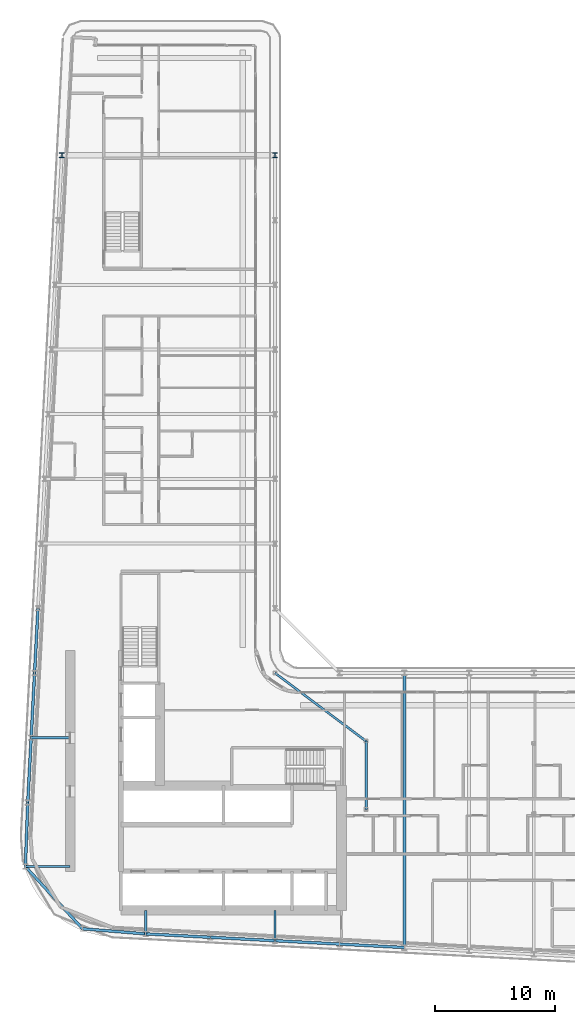
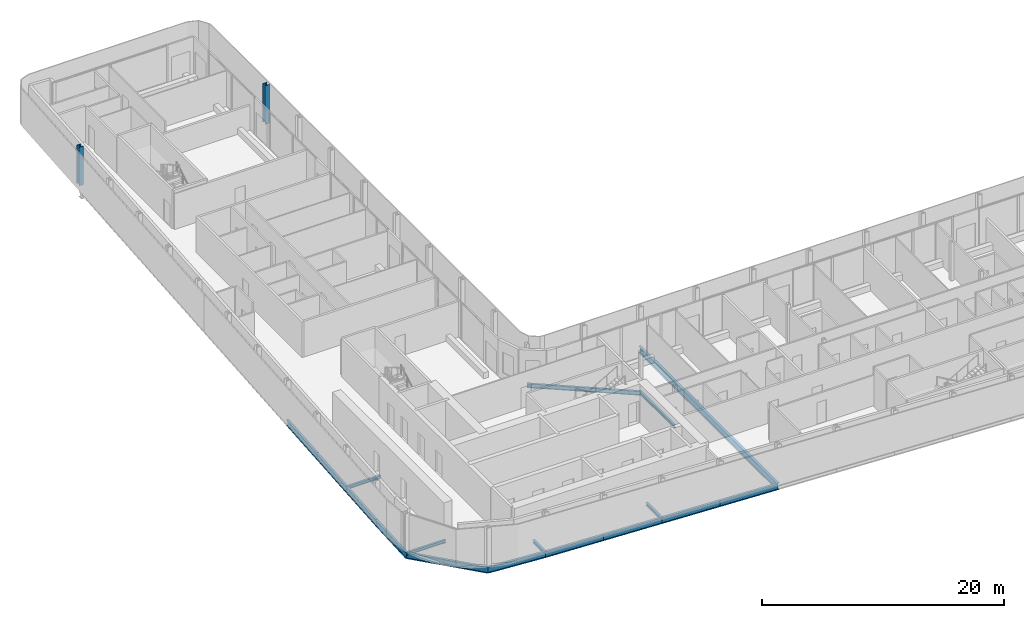
# One storey, part 5 of 29: 17 beams, 2 columns.
"""IFC4 building model written with IfcOpenShell, lengths in metres."""

from ifc_helpers import new_model, si_unit, direction, frame, origin, origin_2d, place, context, subcontext, project, spatial, i_section, extrude, material, material_profile, profile_set, type_object, element, save


model = new_model("IFC4")

# Units and contexts
model_context = context("Model", 3, precision=1e-05, world=origin(), true_north=direction((0.0, 1.0)))
body_context = subcontext(model_context, "Body", "Model", "MODEL_VIEW")
ifc_project = project(units=[si_unit("LENGTHUNIT", "METRE"), si_unit("AREAUNIT", "SQUARE_METRE"), si_unit("VOLUMEUNIT", "CUBIC_METRE"), si_unit("PLANEANGLEUNIT", "RADIAN"), si_unit("MASSUNIT", "GRAM", prefix="KILO")], contexts=[model_context])

# Site, building, storey
site_placement = place(None, origin())
site = spatial("IfcSite", under=ifc_project, at=site_placement, CompositionType="ELEMENT")
building_placement = place(site_placement, origin())
building = spatial("IfcBuilding", under=site, at=building_placement, Name="Kheshtan School and Residences Tower", CompositionType="ELEMENT")
storey_placement = place(building_placement, frame((0.0, 0.0, 183.800048828125)))
storey = spatial("IfcBuildingStorey", under=building, at=storey_placement, Name="L43", CompositionType="ELEMENT", Elevation=183.800048828125)

# Columns
ifc_material = material(Name="Steel ASTM A992 Grade 50", Category="steel")
ifc_material_profile_1 = material_profile(ifc_material, i_section(OverallWidth=0.408935546875, OverallDepth=0.425048828125, WebThickness=0.03271484375, FlangeThickness=0.052490234375, FilletRadius=0.0126953125, at=origin_2d()), Name="W360x421")
ifc_profile_set_1 = profile_set([ifc_material_profile_1], Name="Steel ASTM A992 Grade 50")
column_type = type_object("IfcColumnType", Name="Column C3 W360x421 ASTM A992 Grade 50", PredefinedType="COLUMN", material=ifc_profile_set_1)
for number, where, z_axis, x_axis, name in (
    (1, (29.81103515625, 88.800048828125, 0.0), (0.0, 0.0, 1.0), (1.0, 0.0, 0.0), "Column C098"),
    (2, (47.60009765625, 88.800048828125, 0.0), (0.0, 0.0, 1.0), (1.0, 0.0, 0.0), "Column C099"),
):
    element("IfcColumn", number, at=place(storey_placement, frame(where, z_axis=z_axis, x_axis=x_axis)), inside=storey, type_object=column_type, Name=name, PredefinedType="COLUMN", context=body_context, shape_type="SweptSolid", body=[
        extrude(i_section(OverallWidth=0.408935546875, OverallDepth=0.425048828125, WebThickness=0.03271484375, FlangeThickness=0.052490234375, FilletRadius=0.0126953125, at=origin_2d()), origin(), (0.0, 0.0, 1.0), 3.89990234375),
    ])

# Beams
ifc_material_profile_2 = material_profile(ifc_material, i_section(OverallWidth=0.202880859375, OverallDepth=0.302978515625, WebThickness=0.007568359375, FlangeThickness=0.01318359375, FilletRadius=0.009033203125, at=origin_2d()), Name="W310x60")
ifc_profile_set_2 = profile_set([ifc_material_profile_2], Name="Steel ASTM A992 Grade 50")
beam_type_1 = type_object("IfcBeamType", Name="Beam FB1 W310x60 ASTM A992 Grade 50", PredefinedType="BEAM", material=ifc_profile_set_2)
beam_1_placement = place(storey_placement, frame((47.60009765625, 23.263916015625, -0.301513671875), z_axis=(0.0, 1.0, 0.0), x_axis=(-1.0, 0.0, 0.0)))
element("IfcBeam", 3, at=beam_1_placement, inside=storey, type_object=beam_type_1, Name="Floor beam C020", PredefinedType="BEAM", context=body_context, shape_type="SweptSolid", body=[
    extrude(i_section(OverallWidth=0.202880859375, OverallDepth=0.302978515625, WebThickness=0.007568359375, FlangeThickness=0.01318359375, FilletRadius=0.009033203125, at=origin_2d()), origin(), (0.0, 0.0, 1.0), 2.5361328125),
])
beam_2_placement = place(storey_placement, frame((36.800048828125, 23.83203125, -0.301513671875), z_axis=(0.0, 1.0, 0.0), x_axis=(-1.0, 0.0, 0.0)))
element("IfcBeam", 4, at=beam_2_placement, inside=storey, type_object=beam_type_1, Name="Floor beam C022", PredefinedType="BEAM", context=body_context, shape_type="SweptSolid", body=[
    extrude(i_section(OverallWidth=0.202880859375, OverallDepth=0.302978515625, WebThickness=0.007568359375, FlangeThickness=0.01318359375, FilletRadius=0.009033203125, at=origin_2d()), origin(), (0.0, 0.0, 1.0), 1.968017578125),
])
beam_3_placement = place(storey_placement, frame((26.76904296875, 29.4541015625, -0.301513671875), z_axis=(1.0, 0.0, 0.0), x_axis=(0.0, 1.0, 0.0)))
element("IfcBeam", 5, at=beam_3_placement, inside=storey, type_object=beam_type_1, Name="Floor beam C038", PredefinedType="BEAM", context=body_context, shape_type="SweptSolid", body=[
    extrude(i_section(OverallWidth=0.202880859375, OverallDepth=0.302978515625, WebThickness=0.007568359375, FlangeThickness=0.01318359375, FilletRadius=0.009033203125, at=origin_2d()), origin(), (0.0, 0.0, 1.0), 3.73095703125),
])
beam_4_placement = place(storey_placement, frame((27.2529296875, 40.199951171875, -0.301513671875), z_axis=(1.0, 0.0, 0.0), x_axis=(0.0, 1.0, 0.0)))
element("IfcBeam", 6, at=beam_4_placement, inside=storey, type_object=beam_type_1, Name="Floor beam C056", PredefinedType="BEAM", context=body_context, shape_type="SweptSolid", body=[
    extrude(i_section(OverallWidth=0.202880859375, OverallDepth=0.302978515625, WebThickness=0.007568359375, FlangeThickness=0.01318359375, FilletRadius=0.009033203125, at=origin_2d()), origin(), (0.0, 0.0, 1.0), 3.2470703125),
])
beam_5_placement = place(storey_placement, frame((55.199951171875, 34.23193359375, -0.301513671875), z_axis=(0.0, 1.0, 0.0), x_axis=(-1.0, 0.0, 0.0)))
element("IfcBeam", 7, at=beam_5_placement, inside=storey, type_object=beam_type_1, Name="Floor beam IC", PredefinedType="BEAM", context=body_context, shape_type="SweptSolid", body=[
    extrude(i_section(OverallWidth=0.202880859375, OverallDepth=0.302978515625, WebThickness=0.007568359375, FlangeThickness=0.01318359375, FilletRadius=0.009033203125, at=origin_2d()), origin(), (0.0, 0.0, 1.0), 5.68408203125),
])
ifc_material_profile_3 = material_profile(ifc_material, i_section(OverallWidth=0.180908203125, OverallDepth=0.4169921875, WebThickness=0.010986328125, FlangeThickness=0.018310546875, FilletRadius=0.012451171875, at=origin_2d()), Name="W410x85")
ifc_profile_set_3 = profile_set([ifc_material_profile_3], Name="Steel ASTM A992 Grade 50")
beam_type_2 = type_object("IfcBeamType", Name="Beam FB3 W410x85 ASTM A992 Grade 50", PredefinedType="BEAM", material=ifc_profile_set_3)
beam_6_placement = place(storey_placement, frame((47.60009765625, 45.60009765625, -0.358642578125), z_axis=(0.800798828004, -0.598933416222, 0.0), x_axis=(0.598933416222, 0.800798828004, 0.0)))
element("IfcBeam", 8, at=beam_6_placement, inside=storey, type_object=beam_type_2, Name="Floor beam IC", PredefinedType="BEAM", context=body_context, shape_type="SweptSolid", body=[
    extrude(i_section(OverallWidth=0.180908203125, OverallDepth=0.4169921875, WebThickness=0.010986328125, FlangeThickness=0.018310546875, FilletRadius=0.012451171875, at=origin_2d()), origin(), (0.0, 0.0, 1.0), 9.490234375),
])
ifc_material_profile_4 = material_profile(ifc_material, i_section(OverallWidth=0.2529296875, OverallDepth=0.677978515625, WebThickness=0.01171875, FlangeThickness=0.016357421875, FilletRadius=0.0146484375, at=origin_2d()), Name="W690x125")
ifc_profile_set_4 = profile_set([ifc_material_profile_4], Name="Steel ASTM A992 Grade 50")
beam_type_3 = type_object("IfcBeamType", Name="Beam FB6 W690x125 ASTM A992 Grade 50", PredefinedType="BEAM", material=ifc_profile_set_4)
beam_7_placement = place(storey_placement, frame((58.39990234375, 22.695068359375, -0.489013671875), z_axis=(0.0, 1.0, 0.0), x_axis=(-1.0, 0.0, 0.0)))
element("IfcBeam", 9, at=beam_7_placement, inside=storey, type_object=beam_type_3, Name="Floor beam C018", PredefinedType="BEAM", context=body_context, shape_type="SweptSolid", body=[
    extrude(i_section(OverallWidth=0.2529296875, OverallDepth=0.677978515625, WebThickness=0.01171875, FlangeThickness=0.016357421875, FilletRadius=0.0146484375, at=origin_2d()), origin(), (0.0, 0.0, 1.0), 22.905029296875),
])
ifc_material_profile_5 = material_profile(ifc_material, i_section(OverallWidth=0.22802734375, OverallDepth=0.60302734375, WebThickness=0.010498046875, FlangeThickness=0.014892578125, FilletRadius=0.013427734375, at=origin_2d()), Name="W610x101")
ifc_profile_set_5 = profile_set([ifc_material_profile_5], Name="Steel ASTM A992 Grade 50")
beam_type_4 = type_object("IfcBeamType", Name="Beam SP2 W610x101 ASTM A992 Grade 50", PredefinedType="BEAM", material=ifc_profile_set_5)
for number, where, z_axis, x_axis, name in (
    (10, (58.39990234375, 22.695068359375, -0.45166015625), (-0.998610961136, 0.052689166816, 0.0), (-0.052689166816, -0.998610961136, 0.0), "Spandrel beam C018-C019"),
    (11, (53.0, 22.97998046875, -0.45166015625), (-0.998620447272, 0.05250906864, 0.0), (-0.05250906864, -0.998620447272, 0.0), "Spandrel beam C019-C020"),
):
    element("IfcBeam", number, at=place(storey_placement, frame(where, z_axis=z_axis, x_axis=x_axis)), inside=storey, type_object=beam_type_4, Name=name, PredefinedType="BEAM", context=body_context, shape_type="SweptSolid", body=[
        extrude(i_section(OverallWidth=0.22802734375, OverallDepth=0.60302734375, WebThickness=0.010498046875, FlangeThickness=0.014892578125, FilletRadius=0.013427734375, at=origin_2d()), origin(), (0.0, 0.0, 1.0), 5.407470703125),
    ])
beam_8_placement = place(storey_placement, frame((47.60009765625, 23.263916015625, -0.45166015625), z_axis=(-0.998618203458, 0.052551724256, 0.0), x_axis=(-0.052551724256, -0.998618203458, 0.0)))
element("IfcBeam", 12, at=beam_8_placement, inside=storey, type_object=beam_type_4, Name="Spandrel beam C020-C021", PredefinedType="BEAM", context=body_context, shape_type="SweptSolid", body=[
    extrude(i_section(OverallWidth=0.22802734375, OverallDepth=0.60302734375, WebThickness=0.010498046875, FlangeThickness=0.014892578125, FilletRadius=0.013427734375, at=origin_2d()), origin(), (0.0, 0.0, 1.0), 5.40771484375),
])
beam_9_placement = place(storey_placement, frame((42.199951171875, 23.548095703125, -0.45166015625), z_axis=(-0.998620447272, 0.05250906864, 0.0), x_axis=(-0.05250906864, -0.998620447272, 0.0)))
element("IfcBeam", 13, at=beam_9_placement, inside=storey, type_object=beam_type_4, Name="Spandrel beam C021-C022", PredefinedType="BEAM", context=body_context, shape_type="SweptSolid", body=[
    extrude(i_section(OverallWidth=0.22802734375, OverallDepth=0.60302734375, WebThickness=0.010498046875, FlangeThickness=0.014892578125, FilletRadius=0.013427734375, at=origin_2d()), origin(), (0.0, 0.0, 1.0), 5.407470703125),
])
beam_10_placement = place(storey_placement, frame((36.800048828125, 23.83203125, -0.45166015625), z_axis=(-0.996748565693, 0.08057479003, 0.0), x_axis=(-0.08057479003, -0.996748565693, 0.0)))
element("IfcBeam", 14, at=beam_10_placement, inside=storey, type_object=beam_type_4, Name="Spandrel beam C022-C025", PredefinedType="BEAM", context=body_context, shape_type="SweptSolid", body=[
    extrude(i_section(OverallWidth=0.22802734375, OverallDepth=0.60302734375, WebThickness=0.010498046875, FlangeThickness=0.014892578125, FilletRadius=0.013427734375, at=origin_2d()), origin(), (0.0, 0.0, 1.0), 5.275146484375),
])
beam_11_placement = place(storey_placement, frame((31.5419921875, 24.257080078125, -0.45166015625), z_axis=(-0.676418406149, 0.736517576045, 0.0), x_axis=(-0.736517576045, -0.676418406149, 0.0)))
element("IfcBeam", 15, at=beam_11_placement, inside=storey, type_object=beam_type_4, Name="Spandrel beam C025-C038", PredefinedType="BEAM", context=body_context, shape_type="SweptSolid", body=[
    extrude(i_section(OverallWidth=0.22802734375, OverallDepth=0.60302734375, WebThickness=0.010498046875, FlangeThickness=0.014892578125, FilletRadius=0.013427734375, at=origin_2d()), origin(), (0.0, 0.0, 1.0), 7.05615234375),
])
beam_12_placement = place(storey_placement, frame((26.76904296875, 29.4541015625, -0.45166015625), z_axis=(0.037376249491, 0.999301263871, 0.0), x_axis=(-0.999301263871, 0.037376249491, 0.0)))
element("IfcBeam", 16, at=beam_12_placement, inside=storey, type_object=beam_type_4, Name="Spandrel beam C038-C052", PredefinedType="BEAM", context=body_context, shape_type="SweptSolid", body=[
    extrude(i_section(OverallWidth=0.22802734375, OverallDepth=0.60302734375, WebThickness=0.010498046875, FlangeThickness=0.014892578125, FilletRadius=0.013427734375, at=origin_2d()), origin(), (0.0, 0.0, 1.0), 5.349609375),
])
beam_13_placement = place(storey_placement, frame((26.968994140625, 34.800048828125, -0.45166015625), z_axis=(0.05250906864, 0.998620447272, 0.0), x_axis=(-0.998620447272, 0.05250906864, 0.0)))
element("IfcBeam", 17, at=beam_13_placement, inside=storey, type_object=beam_type_4, Name="Spandrel beam C052-C056", PredefinedType="BEAM", context=body_context, shape_type="SweptSolid", body=[
    extrude(i_section(OverallWidth=0.22802734375, OverallDepth=0.60302734375, WebThickness=0.010498046875, FlangeThickness=0.014892578125, FilletRadius=0.013427734375, at=origin_2d()), origin(), (0.0, 0.0, 1.0), 5.407470703125),
])
beam_14_placement = place(storey_placement, frame((27.2529296875, 40.199951171875, -0.45166015625), z_axis=(0.052551724256, 0.998618203458, 0.0), x_axis=(-0.998618203458, 0.052551724256, 0.0)))
element("IfcBeam", 18, at=beam_14_placement, inside=storey, type_object=beam_type_4, Name="Spandrel beam C056-C059", PredefinedType="BEAM", context=body_context, shape_type="SweptSolid", body=[
    extrude(i_section(OverallWidth=0.22802734375, OverallDepth=0.60302734375, WebThickness=0.010498046875, FlangeThickness=0.014892578125, FilletRadius=0.013427734375, at=origin_2d()), origin(), (0.0, 0.0, 1.0), 5.40771484375),
])
beam_15_placement = place(storey_placement, frame((27.537109375, 45.60009765625, -0.45166015625), z_axis=(0.052689166816, 0.998610961136, 0.0), x_axis=(-0.998610961136, 0.052689166816, 0.0)))
element("IfcBeam", 19, at=beam_15_placement, inside=storey, type_object=beam_type_4, Name="Spandrel beam C059-C078", PredefinedType="BEAM", context=body_context, shape_type="SweptSolid", body=[
    extrude(i_section(OverallWidth=0.22802734375, OverallDepth=0.60302734375, WebThickness=0.010498046875, FlangeThickness=0.014892578125, FilletRadius=0.013427734375, at=origin_2d()), origin(), (0.0, 0.0, 1.0), 5.407470703125),
])

save(model, "model.ifc")
